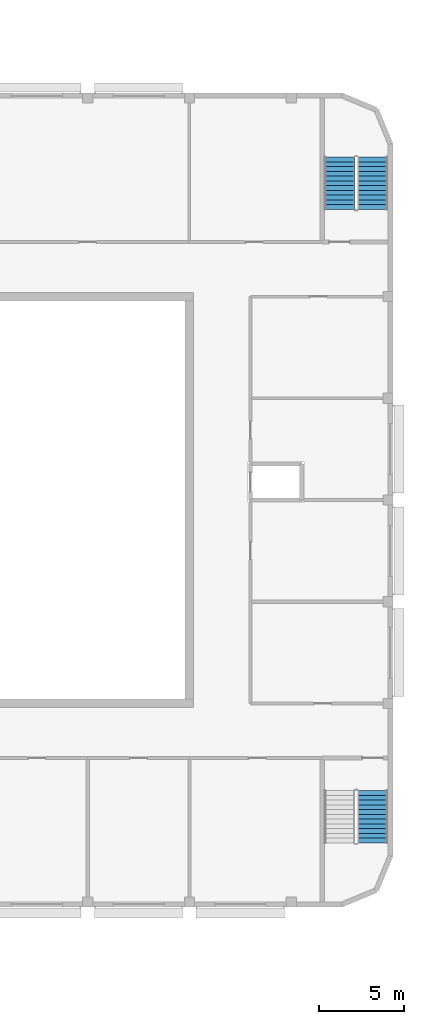
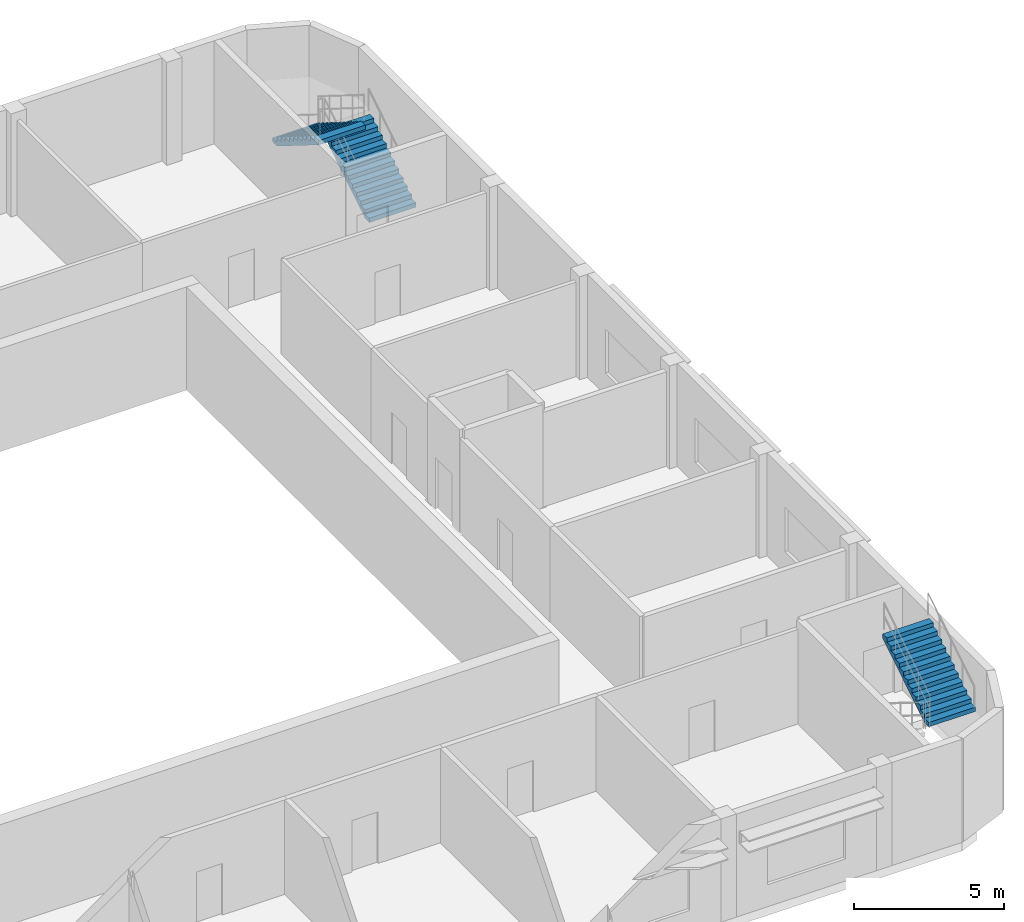
# One storey, part 26 of 45: 3 stair flights, 2 elements without a shape of their own.
"""IFC4 building model written with IfcOpenShell, lengths in metres."""

from ifc_helpers import new_model, si_unit, direction, frame, origin, place, context, subcontext, project, spatial, polyline, outline, extrude, material, type_object, element, aggregate, save


model = new_model("IFC4")

# Units and contexts
model_context = context("Model", 3, precision=1e-05, world=origin(), true_north=direction((0.0, 1.0)))
body_context = subcontext(model_context, "Body", "Model", "MODEL_VIEW")
ifc_project = project(units=[si_unit("LENGTHUNIT", "METRE"), si_unit("AREAUNIT", "SQUARE_METRE"), si_unit("VOLUMEUNIT", "CUBIC_METRE"), si_unit("PLANEANGLEUNIT", "RADIAN"), si_unit("MASSUNIT", "GRAM", prefix="KILO")], contexts=[model_context])

# Site, building, storey
site_placement = place(None, origin())
site = spatial("IfcSite", under=ifc_project, at=site_placement, CompositionType="ELEMENT")
building_placement = place(site_placement, origin())
building = spatial("IfcBuilding", under=site, at=building_placement, Name="Nakaniwa Court", CompositionType="ELEMENT")
storey_placement = place(building_placement, frame((0.0, 0.0, 11.39990234375)))
storey = spatial("IfcBuildingStorey", under=building, at=storey_placement, Name="L02", CompositionType="ELEMENT", Elevation=11.39990234375)

# Stair, stair flight
ifc_material = material(Name="Concrete C40/50", Category="concrete")
stair_type = type_object("IfcStairType", Name="Hall exit stair 24 risers", PredefinedType="HALF_TURN_STAIR", material=ifc_material)
stair_1_placement = place(storey_placement, origin())
stair_1 = element("IfcStair", 1, at=stair_1_placement, inside=storey, type_object=stair_type, Name="L02 Exit stair 3", PredefinedType="HALF_TURN_STAIR")
stair_flight_type = type_object("IfcStairFlightType", Name="Hall stair flight 12 risers", PredefinedType="STRAIGHT", material=ifc_material)
stair_flight_1_placement = place(storey_placement, frame((216.800048828125, 59.780029296875, 2.10009765625), z_axis=(0.0, 0.0, 1.0), x_axis=(0.0, 1.0, 0.0)))
stair_flight_1 = element("IfcStairFlight", 2, at=stair_flight_1_placement, type_object=stair_flight_type, Name="ST-H3 flight 2", NumberOfRisers=12, NumberOfTreads=11, PredefinedType="STRAIGHT", RiserHeight=0.175, TreadLength=0.28, context=body_context, shape_type="SweptSolid", body=[
    extrude(outline(polyline([(0.0, 0.0), (0.0, 0.02490234375), (0.0, 0.050048828125), (0.0, 0.074951171875), (0.0, 0.10009765625), (0.0, 0.125), (0.0, 0.14990234375), (0.0, 0.175048828125), (0.280029296875, 0.175048828125), (0.280029296875, 0.35009765625), (0.56005859375, 0.35009765625), (0.56005859375, 0.52490234375), (0.840087890625, 0.52490234375), (0.840087890625, 0.699951171875), (1.1201171875, 0.699951171875), (1.1201171875, 0.875), (1.39990234375, 0.875), (1.39990234375, 1.050048828125), (1.679931640625, 1.050048828125), (1.679931640625, 1.22509765625), (1.9599609375, 1.22509765625), (1.9599609375, 1.39990234375), (2.239990234375, 1.39990234375), (2.239990234375, 1.574951171875), (2.52001953125, 1.574951171875), (2.52001953125, 1.75), (2.800048828125, 1.75), (2.800048828125, 1.925048828125), (3.080078125, 1.925048828125), (3.080078125, 2.10009765625), (3.080078125, 2.0498046875), (3.080078125, 1.99951171875), (3.080078125, 1.94921875), (3.080078125, 1.89892578125), (3.080078125, 1.8486328125), (3.080078125, 1.798583984375), (3.080078125, 1.748291015625), (0.28271484375, 0.0), (0.0, 0.0)])), frame((0.0, 0.89990234375, 0.0), z_axis=(0.0, -1.0, 0.0), x_axis=(1.0, 0.0, 0.0)), (0.0, 0.0, 1.0), 1.800048828125),
])
aggregate(stair_1, [stair_flight_1])

# Stair, stair flights
stair_2_placement = place(storey_placement, origin())
stair_2 = element("IfcStair", 3, at=stair_2_placement, inside=storey, type_object=stair_type, Name="L02 Exit stair 4", PredefinedType="HALF_TURN_STAIR")
stair_flight_2_placement = place(storey_placement, frame((216.800048828125, 97.139892578125, 0.0), z_axis=(0.0, 0.0, 1.0), x_axis=(0.0, 1.0, 0.0)))
stair_flight_2 = element("IfcStairFlight", 4, at=stair_flight_2_placement, type_object=stair_flight_type, Name="ST-H4 flight 1", NumberOfRisers=12, NumberOfTreads=11, PredefinedType="STRAIGHT", RiserHeight=0.175, TreadLength=0.28, context=body_context, shape_type="SweptSolid", body=[
    extrude(outline(polyline([(0.0, 0.0), (0.0, 0.02490234375), (0.0, 0.050048828125), (0.0, 0.074951171875), (0.0, 0.10009765625), (0.0, 0.125), (0.0, 0.14990234375), (0.0, 0.175048828125), (0.280029296875, 0.175048828125), (0.280029296875, 0.35009765625), (0.56005859375, 0.35009765625), (0.56005859375, 0.52490234375), (0.840087890625, 0.52490234375), (0.840087890625, 0.699951171875), (1.1201171875, 0.699951171875), (1.1201171875, 0.875), (1.39990234375, 0.875), (1.39990234375, 1.050048828125), (1.679931640625, 1.050048828125), (1.679931640625, 1.22509765625), (1.9599609375, 1.22509765625), (1.9599609375, 1.39990234375), (2.239990234375, 1.39990234375), (2.239990234375, 1.574951171875), (2.52001953125, 1.574951171875), (2.52001953125, 1.75), (2.800048828125, 1.75), (2.800048828125, 1.925048828125), (3.080078125, 1.925048828125), (3.080078125, 2.10009765625), (3.080078125, 2.0498046875), (3.080078125, 1.99951171875), (3.080078125, 1.94921875), (3.080078125, 1.89892578125), (3.080078125, 1.8486328125), (3.080078125, 1.798583984375), (3.080078125, 1.748291015625), (0.28271484375, 0.0), (0.0, 0.0)])), frame((0.0, 0.89990234375, 0.0), z_axis=(0.0, -1.0, 0.0), x_axis=(1.0, 0.0, 0.0)), (0.0, 0.0, 1.0), 1.800048828125),
])
stair_flight_3_placement = place(storey_placement, frame((214.85009765625, 100.219970703125, 2.10009765625), z_axis=(0.0, 0.0, 1.0), x_axis=(0.0, -1.0, 0.0)))
stair_flight_3 = element("IfcStairFlight", 5, at=stair_flight_3_placement, type_object=stair_flight_type, Name="ST-H4 flight 2", NumberOfRisers=12, NumberOfTreads=11, PredefinedType="STRAIGHT", RiserHeight=0.175, TreadLength=0.28, context=body_context, shape_type="SweptSolid", body=[
    extrude(outline(polyline([(0.0, 0.0), (0.0, 0.02490234375), (0.0, 0.050048828125), (0.0, 0.074951171875), (0.0, 0.10009765625), (0.0, 0.125), (0.0, 0.14990234375), (0.0, 0.175048828125), (0.280029296875, 0.175048828125), (0.280029296875, 0.35009765625), (0.56005859375, 0.35009765625), (0.56005859375, 0.52490234375), (0.840087890625, 0.52490234375), (0.840087890625, 0.699951171875), (1.1201171875, 0.699951171875), (1.1201171875, 0.875), (1.39990234375, 0.875), (1.39990234375, 1.050048828125), (1.679931640625, 1.050048828125), (1.679931640625, 1.22509765625), (1.9599609375, 1.22509765625), (1.9599609375, 1.39990234375), (2.239990234375, 1.39990234375), (2.239990234375, 1.574951171875), (2.52001953125, 1.574951171875), (2.52001953125, 1.75), (2.800048828125, 1.75), (2.800048828125, 1.925048828125), (3.080078125, 1.925048828125), (3.080078125, 2.10009765625), (3.080078125, 2.0498046875), (3.080078125, 1.99951171875), (3.080078125, 1.94921875), (3.080078125, 1.89892578125), (3.080078125, 1.8486328125), (3.080078125, 1.798583984375), (3.080078125, 1.748291015625), (0.28271484375, 0.0), (0.0, 0.0)])), frame((0.0, 0.89990234375, 0.0), z_axis=(0.0, -1.0, 0.0), x_axis=(1.0, 0.0, 0.0)), (0.0, 0.0, 1.0), 1.800048828125),
])
aggregate(stair_2, [stair_flight_2, stair_flight_3])

save(model, "model.ifc")
